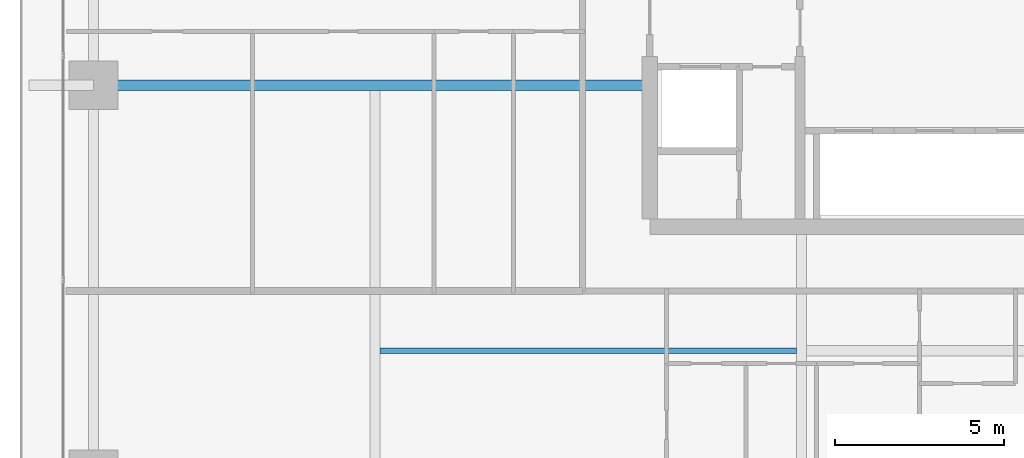
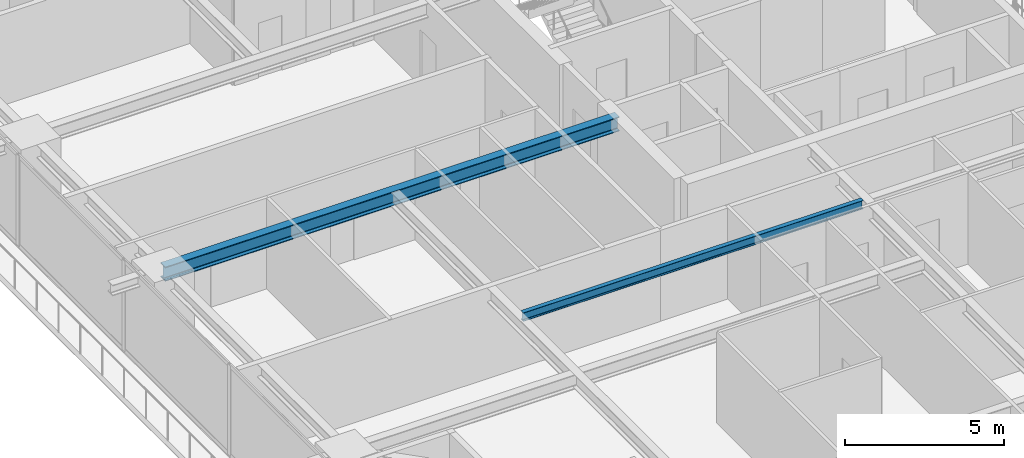
# One storey, part 8 of 39: 2 beams.
"""IFC4 building model written with IfcOpenShell, lengths in metres."""

from ifc_helpers import new_model, si_unit, direction, frame, origin, origin_2d, place, context, subcontext, project, spatial, i_section, extrude, source, transform, mapped, material, material_profile, profile_set, type_object, element, save


model = new_model("IFC4")

# Units and contexts
model_context = context("Model", 3, precision=1e-05, world=origin(), true_north=direction((0.0, 1.0)))
body_context = subcontext(model_context, "Body", "Model", "MODEL_VIEW")
ifc_project = project(units=[si_unit("LENGTHUNIT", "METRE"), si_unit("AREAUNIT", "SQUARE_METRE"), si_unit("VOLUMEUNIT", "CUBIC_METRE"), si_unit("PLANEANGLEUNIT", "RADIAN"), si_unit("MASSUNIT", "GRAM", prefix="KILO")], contexts=[model_context])

# Site, building, storey
site_placement = place(None, origin())
site = spatial("IfcSite", under=ifc_project, at=site_placement, CompositionType="ELEMENT")
building_placement = place(site_placement, origin())
building = spatial("IfcBuilding", under=site, at=building_placement, Name="Serunith Strait Residences", CompositionType="ELEMENT")
storey_placement = place(building_placement, frame((0.0, 0.0, 49.199951171875)))
storey = spatial("IfcBuildingStorey", under=building, at=storey_placement, Name="L11", CompositionType="ELEMENT", Elevation=49.199951171875)

# Beams
ifc_material = material(Name="Steel S355J2", Category="steel")
ifc_material_profile_1 = material_profile(ifc_material, i_section(OverallWidth=0.300048828125, OverallDepth=0.550048828125, WebThickness=0.014892578125, FlangeThickness=0.029052734375, FilletRadius=0.027099609375, at=origin_2d()), Name="HEB 550")
ifc_profile_set_1 = profile_set([ifc_material_profile_1], Name="Steel S355J2")
beam_type_1 = type_object("IfcBeamType", Name="BM-HEB550", PredefinedType="BEAM", material=ifc_profile_set_1)
shared_shape_1 = source(origin(), body_context, "Body", "SweptSolid", [
    extrude(i_section(OverallWidth=0.300048828125, OverallDepth=0.550048828125, WebThickness=0.014892578125, FlangeThickness=0.029052734375, FilletRadius=0.027099609375, at=origin_2d()), origin(), (0.0, 0.0, 1.0), 16.5),
])
beam_1_placement = place(storey_placement, frame((23.39990234375, 21.0, 3.212158203125), z_axis=(-1.0, 0.0, 0.0), x_axis=(0.0, -1.0, 0.0)))
element("IfcBeam", 1, at=beam_1_placement, inside=storey, type_object=beam_type_1, Name="L11 Primary Floor Girder TC-W2", PredefinedType="BEAM", context=body_context, shape_type="MappedRepresentation", body=[
    mapped(shared_shape_1, transform((0.0, 0.0, 0.0), scale=1.0)),
])
ifc_material_profile_2 = material_profile(ifc_material, i_section(OverallWidth=0.159912109375, OverallDepth=0.330078125, WebThickness=0.007568359375, FlangeThickness=0.011474609375, FilletRadius=0.01806640625, at=origin_2d()), Name="IPE 330")
ifc_profile_set_2 = profile_set([ifc_material_profile_2], Name="Steel S355J2")
beam_type_2 = type_object("IfcBeamType", Name="BM-IPE330", PredefinedType="JOIST", material=ifc_profile_set_2)
shared_shape_2 = source(origin(), body_context, "Body", "SweptSolid", [
    extrude(i_section(OverallWidth=0.159912109375, OverallDepth=0.330078125, WebThickness=0.007568359375, FlangeThickness=0.011474609375, FilletRadius=0.01806640625, at=origin_2d()), origin(), (0.0, 0.0, 1.0), 12.35009765625),
])
beam_2_placement = place(storey_placement, frame((15.39990234375, 13.125, 3.322021484375), z_axis=(1.0, 0.0, 0.0), x_axis=(0.0, 1.0, 0.0)))
element("IfcBeam", 2, at=beam_2_placement, inside=storey, type_object=beam_type_2, Name="L11 Composite Floor Joist 01", PredefinedType="JOIST", context=body_context, shape_type="MappedRepresentation", body=[
    mapped(shared_shape_2, transform((0.0, 0.0, 0.0), scale=1.0)),
])

save(model, "model.ifc")
